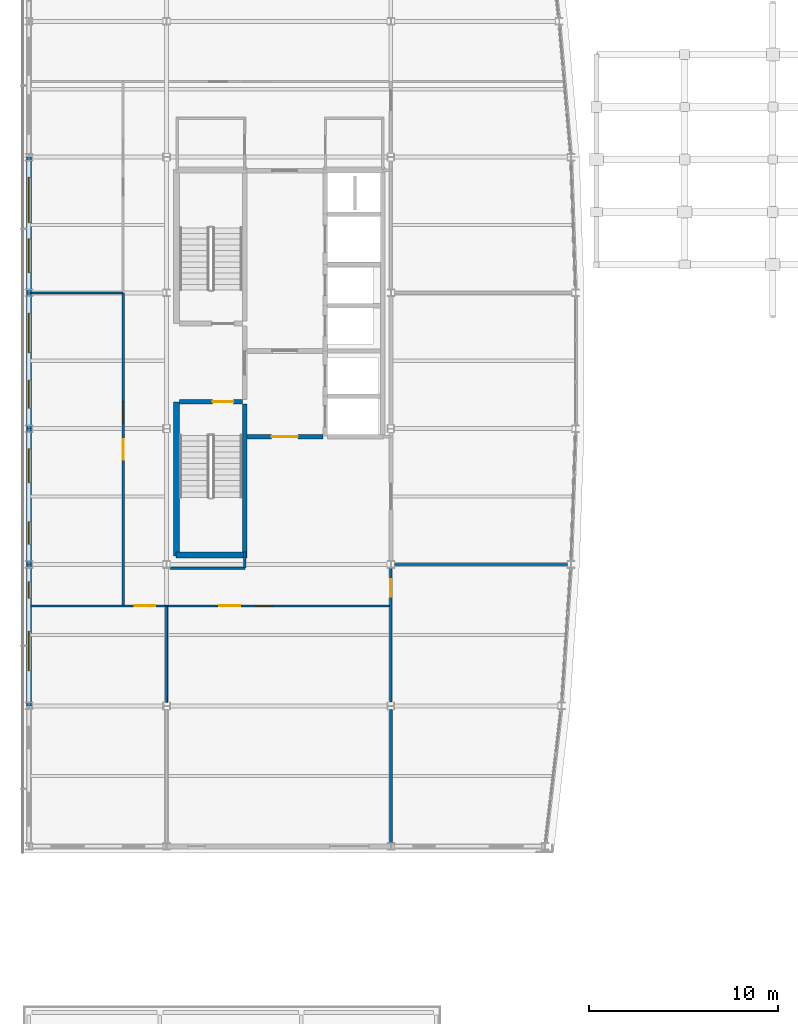
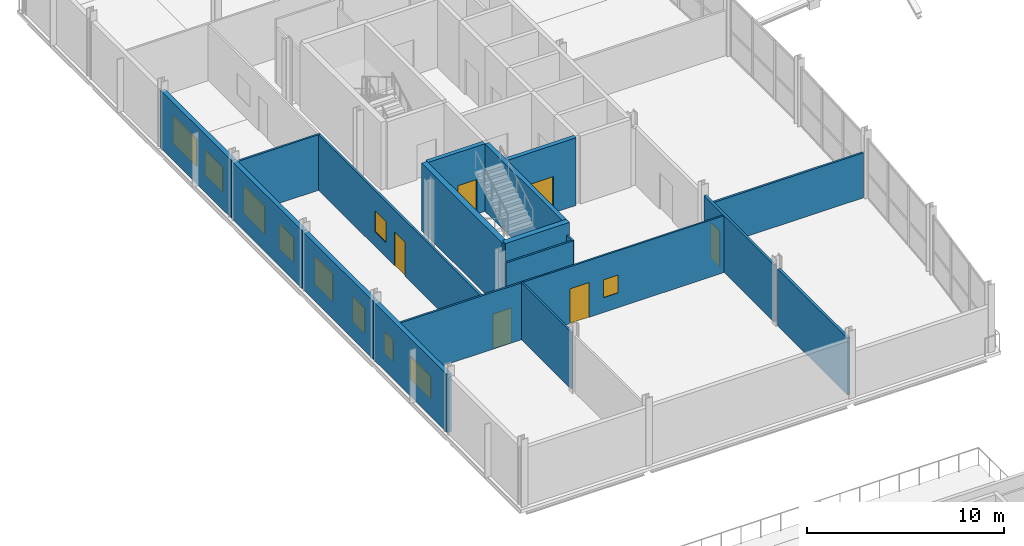
# One storey, part 24 of 36: 19 walls, 10 windows, 6 doors, 16 openings.
"""IFC4 building model written with IfcOpenShell, lengths in metres."""

from ifc_helpers import new_model, si_unit, direction, frame, frame_2d, origin, place, context, subcontext, project, spatial, rectangle, extrude, material, layer, layer_set, type_object, element, fill, save


model = new_model("IFC4")

# Units and contexts
model_context = context("Model", 3, precision=1e-05, world=origin(), true_north=direction((0.0, 1.0)))
body_context = subcontext(model_context, "Body", "Model", "MODEL_VIEW")
ifc_project = project(units=[si_unit("LENGTHUNIT", "METRE"), si_unit("AREAUNIT", "SQUARE_METRE"), si_unit("VOLUMEUNIT", "CUBIC_METRE"), si_unit("PLANEANGLEUNIT", "RADIAN"), si_unit("MASSUNIT", "GRAM", prefix="KILO")], contexts=[model_context])

# Site, building, storey
site_placement = place(None, origin())
site = spatial("IfcSite", under=ifc_project, at=site_placement, CompositionType="ELEMENT")
building_placement = place(site_placement, origin())
building = spatial("IfcBuilding", under=site, at=building_placement, Name="Quillay Park Conservatory", CompositionType="ELEMENT")
storey_placement = place(building_placement, frame((0.0, 0.0, 18.300048828125)))
storey = spatial("IfcBuildingStorey", under=building, at=storey_placement, Name="L04", CompositionType="ELEMENT", Elevation=18.300048828125)

# Wall, openings, window, door
ifc_material_1 = material(Name="Steel-Stud Acoustic Gypsum Board Partition", Category="steel")
ifc_layer_1 = layer(ifc_material_1, 0.10009765625)
ifc_layer_set_1 = layer_set([ifc_layer_1], Name="ACOUSTIC GYPSUM PARTITION 100 (Steel-Stud Acoustic Gypsum Board Partition)")
wall_type_1 = type_object("IfcWallType", Name="ACOUSTIC GYPSUM PARTITION 100", PredefinedType="PARTITIONING", material=ifc_layer_set_1)
wall_1_placement = place(storey_placement, frame((7.85009765625, 75.800048828125, 0.0), z_axis=(0.0, 0.0, 1.0), x_axis=(1.0, 0.0, 0.0)))
wall_1 = element("IfcWall", 1, at=wall_1_placement, inside=storey, type_object=wall_type_1, Name="L04 Plant Taxonomy Research Laboratory North Door Wall", PredefinedType="PARTITIONING", context=body_context, shape_type="SweptSolid", body=[
    extrude(rectangle(XDim=11.89990234375, YDim=0.10009765625, at=frame_2d((5.949951171875, 0.0))), origin(), (0.0, 0.0, 1.0), 3.52685546875),
])
opening_1_placement = place(wall_1_placement, frame((2.7900390625, 0.0, 0.0)))
opening_1 = element("IfcOpeningElement", 2, at=opening_1_placement, cuts=wall_1, Name="Opening D-RM12", PredefinedType="OPENING", context=body_context, shape_type="SweptSolid", body=[
    extrude(rectangle(XDim=1.1201171875, YDim=2.14990234375, at=frame_2d((0.56005859375, 1.074951171875))), frame((0.0, 0.050048828125, 0.0), z_axis=(0.0, -1.0, 0.0), x_axis=(1.0, 0.0, 0.0)), (0.0, 0.0, 1.0), 0.10009765625),
])
opening_2_placement = place(wall_1_placement, frame((4.760009765625, 0.0, 0.919921875)))
opening_2 = element("IfcOpeningElement", 3, at=opening_2_placement, cuts=wall_1, Name="Opening W-IN01", PredefinedType="OPENING", context=body_context, shape_type="SweptSolid", body=[
    extrude(rectangle(XDim=0.85009765625, YDim=1.10009765625, at=frame_2d((0.425048828125, 0.550048828125))), frame((0.0, 0.050048828125, 0.0), z_axis=(0.0, -1.0, 0.0), x_axis=(1.0, 0.0, 0.0)), (0.0, 0.0, 1.0), 0.10009765625),
])
ifc_material_2 = material(Name="Low-E Double Glazing (Laminated Tempered)", Category="glass")
window_type_1 = type_object("IfcWindowType", Name="OPERABLE VENT WINDOW 850 X1100", PartitioningType="SINGLE_PANEL", PredefinedType="WINDOW", material=ifc_material_2)
window_1_placement = place(opening_2_placement, origin())
window_1 = element("IfcWindow", 4, at=window_1_placement, inside=storey, type_object=window_type_1, Name="L04 Laboratory Vision Panel 025", OverallHeight=1.10009765625, OverallWidth=0.85009765625, PartitioningType="SINGLE_PANEL", PredefinedType="WINDOW", context=body_context, shape_type="SweptSolid", body=[
    extrude(rectangle(XDim=0.85009765625, YDim=1.10009765625, at=frame_2d((0.425048828125, 0.550048828125))), frame((0.0, 0.030029296875, 0.0), z_axis=(0.0, -1.0, 0.0), x_axis=(1.0, 0.0, 0.0)), (0.0, 0.0, 1.0), 0.06005859375),
])
fill(opening_2, window_1)
ifc_material_3 = material(Name="Thermally Broken Anodised Aluminium 6063-T6", Category="aluminium")
door_type_1 = type_object("IfcDoorType", Name="SINGLE SWING DOOR 1120 X2150", OperationType="NOTDEFINED", PredefinedType="DOOR", material=ifc_material_3)
door_1_placement = place(opening_1_placement, origin())
door_1 = element("IfcDoor", 5, at=door_1_placement, inside=storey, type_object=door_type_1, Name="L04 Door to Plant Taxonomy Research Laboratory", OperationType="SINGLE_SWING_RIGHT", OverallHeight=2.14990234375, OverallWidth=1.1201171875, PredefinedType="DOOR", context=body_context, shape_type="SweptSolid", body=[
    extrude(rectangle(XDim=1.1201171875, YDim=2.14990234375, at=frame_2d((0.56005859375, 1.074951171875))), frame((0.0, 0.02490234375, 0.0), z_axis=(0.0, -1.0, 0.0), x_axis=(1.0, 0.0, 0.0)), (0.0, 0.0, 1.0), 0.050048828125),
])
fill(opening_1, door_1)

# Walls
ifc_material_4 = material(Name="Steel-Stud Acoustic Gypsum Board Partition", Category="steel")
ifc_layer_2 = layer(ifc_material_4, 0.10498046875)
ifc_layer_set_2 = layer_set([ifc_layer_2], Name="ACOUSTIC GYPSUM PARTITION 105 (Steel-Stud Acoustic Gypsum Board Partition)")
wall_type_2 = type_object("IfcWallType", Name="ACOUSTIC GYPSUM PARTITION 105", PredefinedType="PARTITIONING", material=ifc_layer_set_2)
wall_2_placement = place(storey_placement, frame((7.85009765625, 70.6923828125, 0.0), z_axis=(0.0, 0.0, 1.0), x_axis=(0.0, 1.0, 0.0)))
element("IfcWall", 6, at=wall_2_placement, inside=storey, type_object=wall_type_2, Name="L04 Optical Dissection Microscopy Suite East Wall N", PredefinedType="PARTITIONING", context=body_context, shape_type="SweptSolid", body=[
    extrude(rectangle(XDim=5.107666015625, YDim=0.10498046875, at=frame_2d((2.5537109375, 0.0))), origin(), (0.0, 0.0, 1.0), 3.52685546875),
])
ifc_material_5 = material(Name="Steel-Stud Acoustic Gypsum Board Partition", Category="steel")
ifc_layer_3 = layer(ifc_material_5, 0.110107421875)
ifc_layer_set_3 = layer_set([ifc_layer_3], Name="ACOUSTIC GYPSUM PARTITION 110 (Steel-Stud Acoustic Gypsum Board Partition)")
wall_type_3 = type_object("IfcWallType", Name="ACOUSTIC GYPSUM PARTITION 110", PredefinedType="PARTITIONING", material=ifc_layer_set_3)
wall_3_placement = place(storey_placement, frame((12.0, 77.800048828125, 0.0), z_axis=(0.0, 0.0, 1.0), x_axis=(0.0, 1.0, 0.0)))
element("IfcWall", 7, at=wall_3_placement, inside=storey, type_object=wall_type_3, Name="L04 Core South Vestibule West Wall", PredefinedType="PARTITIONING", context=body_context, shape_type="SweptSolid", body=[
    extrude(rectangle(XDim=0.849853515625, YDim=0.110107421875, at=frame_2d((0.4248046875, 0.0))), origin(), (0.0, 0.0, 1.0), 3.450927734375),
])
wall_4_placement = place(storey_placement, frame((0.64990234375, 92.39990234375, 0.0), z_axis=(0.0, 0.0, 1.0), x_axis=(1.0, 0.0, 0.0)))
element("IfcWall", 8, at=wall_4_placement, inside=storey, type_object=wall_type_3, Name="L04 West Divider 92", PredefinedType="PARTITIONING", context=body_context, shape_type="SweptSolid", body=[
    extrude(rectangle(XDim=4.900146484375, YDim=0.110107421875, at=frame_2d((2.4501953125, 0.0))), origin(), (0.0, 0.0, 1.0), 3.450927734375),
])
ifc_material_6 = material(Name="Steel-Stud Acoustic Gypsum Board Partition", Category="steel")
ifc_layer_4 = layer(ifc_material_6, 0.114990234375)
ifc_layer_set_4 = layer_set([ifc_layer_4], Name="ACOUSTIC GYPSUM PARTITION 115 (Steel-Stud Acoustic Gypsum Board Partition)")
wall_type_4 = type_object("IfcWallType", Name="ACOUSTIC GYPSUM PARTITION 115", PredefinedType="PARTITIONING", material=ifc_layer_set_4)
wall_5_placement = place(storey_placement, frame((8.04248046875, 77.800048828125, 0.0), z_axis=(0.0, 0.0, 1.0), x_axis=(1.0, 0.0, 0.0)))
element("IfcWall", 9, at=wall_5_placement, inside=storey, type_object=wall_type_4, Name="L04 Core South-West Return", PredefinedType="PARTITIONING", context=body_context, shape_type="SweptSolid", body=[
    extrude(rectangle(XDim=3.95751953125, YDim=0.114990234375, at=frame_2d((1.978759765625, 0.0))), origin(), (0.0, 0.0, 1.0), 3.450927734375),
])

# Wall, opening, door
wall_6_placement = place(storey_placement, frame((0.64990234375, 75.800048828125, 0.0), z_axis=(0.0, 0.0, 1.0), x_axis=(1.0, 0.0, 0.0)))
wall_6 = element("IfcWall", 10, at=wall_6_placement, inside=storey, type_object=wall_type_4, Name="L04 Optical Dissection Microscopy Suite North Door Wall", PredefinedType="PARTITIONING", context=body_context, shape_type="SweptSolid", body=[
    extrude(rectangle(XDim=7.2001953125, YDim=0.114990234375, at=frame_2d((3.60009765625, 0.0))), origin(), (0.0, 0.0, 1.0), 3.52685546875),
])
opening_3_placement = place(wall_6_placement, frame((5.510009765625, 0.0, 0.0)))
opening_3 = element("IfcOpeningElement", 11, at=opening_3_placement, cuts=wall_6, Name="Opening D-RM11", PredefinedType="OPENING", context=body_context, shape_type="SweptSolid", body=[
    extrude(rectangle(XDim=1.080078125, YDim=2.14990234375, at=frame_2d((0.5400390625, 1.074951171875))), frame((0.0, 0.0576171875, 0.0), z_axis=(0.0, -1.0, 0.0), x_axis=(1.0, 0.0, 0.0)), (0.0, 0.0, 1.0), 0.114990234375),
])
ifc_material_7 = material(Name="Thermally Broken Anodised Aluminium 6063-T6", Category="aluminium")
door_type_2 = type_object("IfcDoorType", Name="SINGLE SWING DOOR 1080 X2150", OperationType="NOTDEFINED", PredefinedType="DOOR", material=ifc_material_7)
door_2_placement = place(opening_3_placement, origin())
door_2 = element("IfcDoor", 12, at=door_2_placement, inside=storey, type_object=door_type_2, Name="L04 Door to Optical Dissection Microscopy Suite", OperationType="SINGLE_SWING_LEFT", OverallHeight=2.14990234375, OverallWidth=1.080078125, PredefinedType="DOOR", context=body_context, shape_type="SweptSolid", body=[
    extrude(rectangle(XDim=1.080078125, YDim=2.14990234375, at=frame_2d((0.5400390625, 1.074951171875))), frame((0.0, 0.02490234375, 0.0), z_axis=(0.0, -1.0, 0.0), x_axis=(1.0, 0.0, 0.0)), (0.0, 0.0, 1.0), 0.050048828125),
])
fill(opening_3, door_2)

# Wall, openings, window, door
ifc_material_8 = material(Name="Steel-Stud Acoustic Gypsum Board Partition", Category="steel")
ifc_layer_5 = layer(ifc_material_8, 0.1201171875)
ifc_layer_set_5 = layer_set([ifc_layer_5], Name="ACOUSTIC GYPSUM PARTITION 120 (Steel-Stud Acoustic Gypsum Board Partition)")
wall_type_5 = type_object("IfcWallType", Name="ACOUSTIC GYPSUM PARTITION 120", PredefinedType="PARTITIONING", material=ifc_layer_set_5)
wall_7_placement = place(storey_placement, frame((5.550048828125, 75.800048828125, 0.0), z_axis=(0.0, 0.0, 1.0), x_axis=(0.0, 1.0, 0.0)))
wall_7 = element("IfcWall", 13, at=wall_7_placement, inside=storey, type_object=wall_type_5, Name="L04 Systematics Herbarium Reference Studio Corridor Wall", PredefinedType="PARTITIONING", context=body_context, shape_type="SweptSolid", body=[
    extrude(rectangle(XDim=16.599853515625, YDim=0.1201171875, at=frame_2d((8.2998046875, 0.0))), origin(), (0.0, 0.0, 1.0), 3.450927734375),
])
opening_4_placement = place(wall_7_placement, frame((7.760009765625, 0.0, 0.0)))
opening_4 = element("IfcOpeningElement", 14, at=opening_4_placement, cuts=wall_7, Name="Opening D-RM06", PredefinedType="OPENING", context=body_context, shape_type="SweptSolid", body=[
    extrude(rectangle(XDim=1.080078125, YDim=2.10009765625, at=frame_2d((0.5400390625, 1.050048828125))), frame((0.0, 0.06005859375, 0.0), z_axis=(0.0, -1.0, 0.0), x_axis=(1.0, 0.0, 0.0)), (0.0, 0.0, 1.0), 0.1201171875),
])
opening_5_placement = place(wall_7_placement, frame((9.68994140625, 0.0, 0.919921875)))
opening_5 = element("IfcOpeningElement", 15, at=opening_5_placement, cuts=wall_7, Name="Opening W-IN10", PredefinedType="OPENING", context=body_context, shape_type="SweptSolid", body=[
    extrude(rectangle(XDim=1.14990234375, YDim=1.300048828125, at=frame_2d((0.574951171875, 0.64990234375))), frame((0.0, 0.06005859375, 0.0), z_axis=(0.0, -1.0, 0.0), x_axis=(1.0, 0.0, 0.0)), (0.0, 0.0, 1.0), 0.1201171875),
])
ifc_material_9 = material(Name="Low-E Double Glazing (Laminated Tempered)", Category="glass")
window_type_2 = type_object("IfcWindowType", Name="OPERABLE VENT WINDOW 1150 X1300", PartitioningType="SINGLE_PANEL", PredefinedType="WINDOW", material=ifc_material_9)
window_2_placement = place(opening_5_placement, origin())
window_2 = element("IfcWindow", 16, at=window_2_placement, inside=storey, type_object=window_type_2, Name="L04 Laboratory Vision Panel 022", OverallHeight=1.300048828125, OverallWidth=1.14990234375, PartitioningType="SINGLE_PANEL", PredefinedType="WINDOW", context=body_context, shape_type="SweptSolid", body=[
    extrude(rectangle(XDim=1.14990234375, YDim=1.300048828125, at=frame_2d((0.574951171875, 0.64990234375))), frame((0.0, 0.030029296875, 0.0), z_axis=(0.0, -1.0, 0.0), x_axis=(1.0, 0.0, 0.0)), (0.0, 0.0, 1.0), 0.06005859375),
])
fill(opening_5, window_2)
ifc_material_10 = material(Name="Thermally Broken Anodised Aluminium 6063-T6", Category="aluminium")
door_type_3 = type_object("IfcDoorType", Name="SINGLE SWING DOOR 1080 X2100", OperationType="NOTDEFINED", PredefinedType="DOOR", material=ifc_material_10)
door_3_placement = place(opening_4_placement, origin())
door_3 = element("IfcDoor", 17, at=door_3_placement, inside=storey, type_object=door_type_3, Name="L04 Door to Systematics Herbarium Reference Studio", OperationType="SINGLE_SWING_RIGHT", OverallHeight=2.10009765625, OverallWidth=1.080078125, PredefinedType="DOOR", context=body_context, shape_type="SweptSolid", body=[
    extrude(rectangle(XDim=1.080078125, YDim=2.10009765625, at=frame_2d((0.5400390625, 1.050048828125))), frame((0.0, 0.02490234375, 0.0), z_axis=(0.0, -1.0, 0.0), x_axis=(1.0, 0.0, 0.0)), (0.0, 0.0, 1.0), 0.050048828125),
])
fill(opening_4, door_3)

# Wall
wall_8_placement = place(storey_placement, frame((29.107421875, 78.0, 0.0), z_axis=(0.0, 0.0, 1.0), x_axis=(-1.0, 0.0, 0.0)))
element("IfcWall", 18, at=wall_8_placement, inside=storey, type_object=wall_type_5, Name="L04 East Strip South Wall", PredefinedType="PARTITIONING", context=body_context, shape_type="SweptSolid", body=[
    extrude(rectangle(XDim=9.1650390625, YDim=0.1201171875, at=frame_2d((4.58251953125, 0.0))), origin(), (0.0, 0.0, 1.0), 2.7900390625),
])

# Wall, opening, door
ifc_material_11 = material(Name="Steel-Stud Acoustic Gypsum Board Partition", Category="steel")
ifc_layer_6 = layer(ifc_material_11, 0.139892578125)
ifc_layer_set_6 = layer_set([ifc_layer_6], Name="ACOUSTIC GYPSUM PARTITION 140 (Steel-Stud Acoustic Gypsum Board Partition)")
wall_type_6 = type_object("IfcWallType", Name="ACOUSTIC GYPSUM PARTITION 140", PredefinedType="PARTITIONING", material=ifc_layer_set_6)
wall_9_placement = place(storey_placement, frame((19.75, 70.6923828125, 0.0), z_axis=(0.0, 0.0, 1.0), x_axis=(0.0, 1.0, 0.0)))
wall_9 = element("IfcWall", 19, at=wall_9_placement, inside=storey, type_object=wall_type_6, Name="L04 Comparative Morphology Microscopy Studio West Door Wall", PredefinedType="PARTITIONING", context=body_context, shape_type="SweptSolid", body=[
    extrude(rectangle(XDim=7.12255859375, YDim=0.139892578125, at=frame_2d((3.561279296875, 0.0))), origin(), (0.0, 0.0, 1.0), 3.52685546875),
])
opening_6_placement = place(wall_9_placement, frame((5.58251953125, 0.0, 0.0)))
opening_6 = element("IfcOpeningElement", 20, at=opening_6_placement, cuts=wall_9, Name="Opening D-RM13", PredefinedType="OPENING", context=body_context, shape_type="SweptSolid", body=[
    extrude(rectangle(XDim=0.949951171875, YDim=2.199951171875, at=frame_2d((0.47509765625, 1.10009765625))), frame((0.0, 0.06982421875, 0.0), z_axis=(0.0, -1.0, 0.0), x_axis=(1.0, 0.0, 0.0)), (0.0, 0.0, 1.0), 0.139892578125),
])
ifc_material_12 = material(Name="Thermally Broken Anodised Aluminium 6063-T6", Category="aluminium")
door_type_4 = type_object("IfcDoorType", Name="SINGLE SWING DOOR 950 X2200", OperationType="NOTDEFINED", PredefinedType="DOOR", material=ifc_material_12)
door_4_placement = place(opening_6_placement, origin())
door_4 = element("IfcDoor", 21, at=door_4_placement, inside=storey, type_object=door_type_4, Name="L04 Door to Comparative Morphology Microscopy Studio", OperationType="SINGLE_SWING_LEFT", OverallHeight=2.199951171875, OverallWidth=0.949951171875, PredefinedType="DOOR", context=body_context, shape_type="SweptSolid", body=[
    extrude(rectangle(XDim=0.949951171875, YDim=2.199951171875, at=frame_2d((0.47509765625, 1.10009765625))), frame((0.0, 0.02490234375, 0.0), z_axis=(0.0, -1.0, 0.0), x_axis=(1.0, 0.0, 0.0)), (0.0, 0.0, 1.0), 0.050048828125),
])
fill(opening_6, door_4)

# Walls
ifc_material_13 = material(Name="Steel-Stud Acoustic Gypsum Board Partition", Category="steel")
ifc_layer_7 = layer(ifc_material_13, 0.14990234375)
ifc_layer_set_7 = layer_set([ifc_layer_7], Name="ACOUSTIC GYPSUM PARTITION 150 (Steel-Stud Acoustic Gypsum Board Partition)")
wall_type_7 = type_object("IfcWallType", Name="ACOUSTIC GYPSUM PARTITION 150", PredefinedType="PARTITIONING", material=ifc_layer_set_7)
wall_10_placement = place(storey_placement, frame((19.75, 63.235107421875, 0.0), z_axis=(0.0, 0.0, 1.0), x_axis=(0.0, 1.0, 0.0)))
element("IfcWall", 22, at=wall_10_placement, inside=storey, type_object=wall_type_7, Name="L04 Comparative Morphology Microscopy Studio West Wall S", PredefinedType="PARTITIONING", context=body_context, shape_type="SweptSolid", body=[
    extrude(rectangle(XDim=7.072509765625, YDim=0.14990234375, at=frame_2d((3.5361328125, 0.0))), origin(), (0.0, 0.0, 1.0), 3.52685546875),
])
ifc_material_14 = material(Name="Concrete C40/50 (NCh170 Concrete C40/50)", Category="concrete")
ifc_layer_8 = layer(ifc_material_14, 0.25)
ifc_layer_set_8 = layer_set([ifc_layer_8], Name="CORE SHEAR WALL 250 (Concrete C40/50 (NCh170 Concrete C40/50))")
wall_type_8 = type_object("IfcWallType", Name="CORE SHEAR WALL 250", PredefinedType="SHEAR", material=ifc_layer_set_8)
wall_11_placement = place(storey_placement, frame((11.9951171875, 78.64990234375, 0.0), z_axis=(0.0, 0.0, 1.0), x_axis=(0.0, 1.0, 0.0)))
element("IfcWall", 23, at=wall_11_placement, inside=storey, type_object=wall_type_8, Name="L04 Core Shear Wall WL-T2E-L04", PredefinedType="SHEAR", context=body_context, shape_type="SweptSolid", body=[
    extrude(rectangle(XDim=7.85009765625, YDim=0.25, at=frame_2d((3.925048828125, 0.0))), origin(), (0.0, 0.0, 1.0), 4.199951171875),
])

# Wall, opening, door
wall_12_placement = place(storey_placement, frame((8.550048828125, 86.625, 0.0), z_axis=(0.0, 0.0, 1.0), x_axis=(1.0, 0.0, 0.0)))
wall_12 = element("IfcWall", 24, at=wall_12_placement, inside=storey, type_object=wall_type_8, Name="L04 Core Shear Wall WL-ST2D-L04", PredefinedType="SHEAR", context=body_context, shape_type="SweptSolid", body=[
    extrude(rectangle(XDim=3.320068359375, YDim=0.25, at=frame_2d((1.66015625, 0.0))), origin(), (0.0, 0.0, 1.0), 4.199951171875),
])
opening_7_placement = place(wall_12_placement, frame((1.75, 0.0, 0.0)))
opening_7 = element("IfcOpeningElement", 25, at=opening_7_placement, cuts=wall_12, Name="Opening D-ST01", PredefinedType="OPENING", context=body_context, shape_type="SweptSolid", body=[
    extrude(rectangle(XDim=1.10009765625, YDim=2.14990234375, at=frame_2d((0.550048828125, 1.074951171875))), frame((0.0, 0.125, 0.0), z_axis=(0.0, -1.0, 0.0), x_axis=(1.0, 0.0, 0.0)), (0.0, 0.0, 1.0), 0.25),
])
ifc_material_15 = material(Name="Steel ASTM A572 Grade 50", Category="steel")
door_type_5 = type_object("IfcDoorType", Name="FIRE RATED STAIR DOOR 1100 X2150", OperationType="NOTDEFINED", PredefinedType="DOOR", material=ifc_material_15)
door_5_placement = place(opening_7_placement, origin())
door_5 = element("IfcDoor", 26, at=door_5_placement, inside=storey, type_object=door_type_5, Name="L04 Protected Stair ST-T2 Door", OperationType="SINGLE_SWING_LEFT", OverallHeight=2.14990234375, OverallWidth=1.10009765625, PredefinedType="DOOR", context=body_context, shape_type="SweptSolid", body=[
    extrude(rectangle(XDim=1.10009765625, YDim=2.14990234375, at=frame_2d((0.550048828125, 1.074951171875))), frame((0.0, 0.02490234375, 0.0), z_axis=(0.0, -1.0, 0.0), x_axis=(1.0, 0.0, 0.0)), (0.0, 0.0, 1.0), 0.050048828125),
])
fill(opening_7, door_5)

wall_13_placement = place(storey_placement, frame((12.1201171875, 84.77490234375, 0.0), z_axis=(0.0, 0.0, 1.0), x_axis=(1.0, 0.0, 0.0)))
wall_13 = element("IfcWall", 27, at=wall_13_placement, inside=storey, type_object=wall_type_8, Name="L04 Core Shear Wall WL-FFS-L04", PredefinedType="SHEAR", context=body_context, shape_type="SweptSolid", body=[
    extrude(rectangle(XDim=4.02978515625, YDim=0.25, at=frame_2d((2.014892578125, 0.0))), origin(), (0.0, 0.0, 1.0), 4.199951171875),
])
opening_8_placement = place(wall_13_placement, frame((1.300048828125, 0.0, 0.0)))
opening_8 = element("IfcOpeningElement", 28, at=opening_8_placement, cuts=wall_13, Name="Opening D-LB03", PredefinedType="OPENING", context=body_context, shape_type="SweptSolid", body=[
    extrude(rectangle(XDim=1.39990234375, YDim=2.25, at=frame_2d((0.699951171875, 1.125))), frame((0.0, 0.125, 0.0), z_axis=(0.0, -1.0, 0.0), x_axis=(1.0, 0.0, 0.0)), (0.0, 0.0, 1.0), 0.25),
])
ifc_material_16 = material(Name="Steel ASTM A572 Grade 50", Category="steel")
door_type_6 = type_object("IfcDoorType", Name="FIRE RATED LOBBY DOOR 1400 X2250", OperationType="NOTDEFINED", PredefinedType="DOOR", material=ifc_material_16)
door_6_placement = place(opening_8_placement, origin())
door_6 = element("IfcDoor", 29, at=door_6_placement, inside=storey, type_object=door_type_6, Name="L04 South Core Lobby Door", OperationType="SINGLE_SWING_RIGHT", OverallHeight=2.25, OverallWidth=1.39990234375, PredefinedType="DOOR", context=body_context, shape_type="SweptSolid", body=[
    extrude(rectangle(XDim=1.39990234375, YDim=2.25, at=frame_2d((0.699951171875, 1.125))), frame((0.0, 0.02490234375, 0.0), z_axis=(0.0, -1.0, 0.0), x_axis=(1.0, 0.0, 0.0)), (0.0, 0.0, 1.0), 0.050048828125),
])
fill(opening_8, door_6)

# Walls
ifc_material_17 = material(Name="Concrete C40/50 (NCh170 Concrete C40/50)", Category="concrete")
ifc_layer_9 = layer(ifc_material_17, 0.320068359375)
ifc_layer_set_9 = layer_set([ifc_layer_9], Name="CORE SHEAR WALL 320 (Concrete C40/50 (NCh170 Concrete C40/50))")
wall_type_9 = type_object("IfcWallType", Name="CORE SHEAR WALL 320", PredefinedType="SHEAR", material=ifc_layer_set_9)
wall_14_placement = place(storey_placement, frame((8.389892578125, 78.449951171875, 0.0), z_axis=(0.0, 0.0, 1.0), x_axis=(0.0, 1.0, 0.0)))
element("IfcWall", 30, at=wall_14_placement, inside=storey, type_object=wall_type_9, Name="L04 Core Shear Wall WL-TCW-S-L04", PredefinedType="SHEAR", context=body_context, shape_type="SweptSolid", body=[
    extrude(rectangle(XDim=8.175048828125, YDim=0.320068359375, at=frame_2d((4.08740234375, 0.0))), origin(), (0.0, 0.0, 1.0), 4.199951171875),
])
wall_15_placement = place(storey_placement, frame((8.35009765625, 78.489990234375, 0.0), z_axis=(0.0, 0.0, 1.0), x_axis=(1.0, 0.0, 0.0)))
element("IfcWall", 31, at=wall_15_placement, inside=storey, type_object=wall_type_9, Name="L04 Core Shear Wall WL-TCS-L04", PredefinedType="SHEAR", context=body_context, shape_type="SweptSolid", body=[
    extrude(rectangle(XDim=3.77001953125, YDim=0.320068359375, at=frame_2d((1.885009765625, 0.0))), origin(), (0.0, 0.0, 1.0), 4.199951171875),
])

# Wall, openings, windows
ifc_material_18 = material(Name="Glass-Fibre Reinforced Concrete (GRC) Cladding", Category="concrete")
ifc_layer_10 = layer(ifc_material_18, 0.260009765625)
ifc_layer_set_10 = layer_set([ifc_layer_10], Name="EXTERIOR SOLID WALL 260 (Glass-Fibre Reinforced Concrete (GRC) Cladding)")
wall_type_10 = type_object("IfcWallType", Name="EXTERIOR SOLID WALL 260", PredefinedType="SOLIDWALL", material=ifc_layer_set_10)
wall_16_placement = place(storey_placement, frame((0.550048828125, 70.5, 0.0), z_axis=(0.0, 0.0, 1.0), x_axis=(0.0, 1.0, 0.0)))
wall_16 = element("IfcWall", 32, at=wall_16_placement, inside=storey, type_object=wall_type_10, Name="L04 External Wall WL-EXT-V4W-L04-1", PredefinedType="SOLIDWALL", context=body_context, shape_type="SweptSolid", body=[
    extrude(rectangle(XDim=7.5, YDim=0.260009765625, at=frame_2d((3.75, 0.0))), origin(), (0.0, 0.0, 1.0), 3.576904296875),
])
opening_9_placement = place(wall_16_placement, frame((1.85498046875, 0.0, 0.919921875)))
opening_9 = element("IfcOpeningElement", 33, at=opening_9_placement, cuts=wall_16, Name="Opening W-06", PredefinedType="OPENING", context=body_context, shape_type="SweptSolid", body=[
    extrude(rectangle(XDim=2.10009765625, YDim=1.39990234375, at=frame_2d((1.050048828125, 0.699951171875))), frame((0.0, 0.1298828125, 0.0), z_axis=(0.0, -1.0, 0.0), x_axis=(1.0, 0.0, 0.0)), (0.0, 0.0, 1.0), 0.260009765625),
])
opening_10_placement = place(wall_16_placement, frame((5.695068359375, 0.0, 0.919921875)))
opening_10 = element("IfcOpeningElement", 34, at=opening_10_placement, cuts=wall_16, Name="Opening W-17", PredefinedType="OPENING", context=body_context, shape_type="SweptSolid", body=[
    extrude(rectangle(XDim=0.89990234375, YDim=1.300048828125, at=frame_2d((0.449951171875, 0.64990234375))), frame((0.0, 0.1298828125, 0.0), z_axis=(0.0, -1.0, 0.0), x_axis=(1.0, 0.0, 0.0)), (0.0, 0.0, 1.0), 0.260009765625),
])
ifc_material_19 = material(Name="Low-E Double Glazing (Laminated Tempered)", Category="glass")
window_type_3 = type_object("IfcWindowType", Name="FIXED CASEMENT WINDOW 2100 X1400", PartitioningType="DOUBLE_PANEL_VERTICAL", PredefinedType="WINDOW", material=ifc_material_19)
window_3_placement = place(opening_9_placement, origin())
window_3 = element("IfcWindow", 35, at=window_3_placement, inside=storey, type_object=window_type_3, Name="L04 Exterior Window 0146", OverallHeight=1.39990234375, OverallWidth=2.10009765625, PartitioningType="DOUBLE_PANEL_VERTICAL", PredefinedType="WINDOW", context=body_context, shape_type="SweptSolid", body=[
    extrude(rectangle(XDim=2.10009765625, YDim=1.39990234375, at=frame_2d((1.050048828125, 0.699951171875))), frame((0.0, 0.030029296875, 0.0), z_axis=(0.0, -1.0, 0.0), x_axis=(1.0, 0.0, 0.0)), (0.0, 0.0, 1.0), 0.06005859375),
])
fill(opening_9, window_3)
ifc_material_20 = material(Name="Low-E Double Glazing (Laminated Tempered)", Category="glass")
window_type_4 = type_object("IfcWindowType", Name="FIXED CASEMENT WINDOW 900 X1300", PartitioningType="SINGLE_PANEL", PredefinedType="WINDOW", material=ifc_material_20)
window_4_placement = place(opening_10_placement, origin())
window_4 = element("IfcWindow", 36, at=window_4_placement, inside=storey, type_object=window_type_4, Name="L04 Exterior Window 0147", OverallHeight=1.300048828125, OverallWidth=0.89990234375, PartitioningType="SINGLE_PANEL", PredefinedType="WINDOW", context=body_context, shape_type="SweptSolid", body=[
    extrude(rectangle(XDim=0.89990234375, YDim=1.300048828125, at=frame_2d((0.449951171875, 0.64990234375))), frame((0.0, 0.030029296875, 0.0), z_axis=(0.0, -1.0, 0.0), x_axis=(1.0, 0.0, 0.0)), (0.0, 0.0, 1.0), 0.06005859375),
])
fill(opening_10, window_4)

wall_17_placement = place(storey_placement, frame((0.550048828125, 78.0, 0.0), z_axis=(0.0, 0.0, 1.0), x_axis=(0.0, 1.0, 0.0)))
wall_17 = element("IfcWall", 37, at=wall_17_placement, inside=storey, type_object=wall_type_10, Name="L04 External Wall WL-EXT-V4W-L04-2", PredefinedType="SOLIDWALL", context=body_context, shape_type="SweptSolid", body=[
    extrude(rectangle(XDim=7.199951171875, YDim=0.260009765625, at=frame_2d((3.60009765625, 0.0))), origin(), (0.0, 0.0, 1.0), 3.576904296875),
])
opening_11_placement = place(wall_17_placement, frame((1.070068359375, 0.0, 0.919921875)))
opening_11 = element("IfcOpeningElement", 38, at=opening_11_placement, cuts=wall_17, Name="Opening W-07", PredefinedType="OPENING", context=body_context, shape_type="SweptSolid", body=[
    extrude(rectangle(XDim=1.199951171875, YDim=1.550048828125, at=frame_2d((0.60009765625, 0.77490234375))), frame((0.0, 0.1298828125, 0.0), z_axis=(0.0, -1.0, 0.0), x_axis=(1.0, 0.0, 0.0)), (0.0, 0.0, 1.0), 0.260009765625),
])
opening_12_placement = place(wall_17_placement, frame((4.330078125, 0.0, 0.919921875)))
opening_12 = element("IfcOpeningElement", 39, at=opening_12_placement, cuts=wall_17, Name="Opening W-14", PredefinedType="OPENING", context=body_context, shape_type="SweptSolid", body=[
    extrude(rectangle(XDim=1.800048828125, YDim=1.699951171875, at=frame_2d((0.89990234375, 0.85009765625))), frame((0.0, 0.1298828125, 0.0), z_axis=(0.0, -1.0, 0.0), x_axis=(1.0, 0.0, 0.0)), (0.0, 0.0, 1.0), 0.260009765625),
])
ifc_material_21 = material(Name="Low-E Double Glazing (Laminated Tempered)", Category="glass")
window_type_5 = type_object("IfcWindowType", Name="FIXED CASEMENT WINDOW 1200 X1550", PartitioningType="SINGLE_PANEL", PredefinedType="WINDOW", material=ifc_material_21)
window_5_placement = place(opening_11_placement, origin())
window_5 = element("IfcWindow", 40, at=window_5_placement, inside=storey, type_object=window_type_5, Name="L04 Exterior Window 0148", OverallHeight=1.550048828125, OverallWidth=1.199951171875, PartitioningType="SINGLE_PANEL", PredefinedType="WINDOW", context=body_context, shape_type="SweptSolid", body=[
    extrude(rectangle(XDim=1.199951171875, YDim=1.550048828125, at=frame_2d((0.60009765625, 0.77490234375))), frame((0.0, 0.030029296875, 0.0), z_axis=(0.0, -1.0, 0.0), x_axis=(1.0, 0.0, 0.0)), (0.0, 0.0, 1.0), 0.06005859375),
])
fill(opening_11, window_5)
ifc_material_22 = material(Name="Low-E Double Glazing (Laminated Tempered)", Category="glass")
window_type_6 = type_object("IfcWindowType", Name="FIXED CASEMENT WINDOW 1800 X1700", PartitioningType="DOUBLE_PANEL_VERTICAL", PredefinedType="WINDOW", material=ifc_material_22)
window_6_placement = place(opening_12_placement, origin())
window_6 = element("IfcWindow", 41, at=window_6_placement, inside=storey, type_object=window_type_6, Name="L04 Exterior Window 0149", OverallHeight=1.699951171875, OverallWidth=1.800048828125, PartitioningType="DOUBLE_PANEL_VERTICAL", PredefinedType="WINDOW", context=body_context, shape_type="SweptSolid", body=[
    extrude(rectangle(XDim=1.800048828125, YDim=1.699951171875, at=frame_2d((0.89990234375, 0.85009765625))), frame((0.0, 0.030029296875, 0.0), z_axis=(0.0, -1.0, 0.0), x_axis=(1.0, 0.0, 0.0)), (0.0, 0.0, 1.0), 0.06005859375),
])
fill(opening_12, window_6)

wall_18_placement = place(storey_placement, frame((0.550048828125, 85.199951171875, 0.0), z_axis=(0.0, 0.0, 1.0), x_axis=(0.0, 1.0, 0.0)))
wall_18 = element("IfcWall", 42, at=wall_18_placement, inside=storey, type_object=wall_type_10, Name="L04 External Wall WL-EXT-V4W-L04-3", PredefinedType="SOLIDWALL", context=body_context, shape_type="SweptSolid", body=[
    extrude(rectangle(XDim=7.199951171875, YDim=0.260009765625, at=frame_2d((3.60009765625, 0.0))), origin(), (0.0, 0.0, 1.0), 3.576904296875),
])
opening_13_placement = place(wall_18_placement, frame((1.070068359375, 0.0, 0.919921875)))
opening_13 = element("IfcOpeningElement", 43, at=opening_13_placement, cuts=wall_18, Name="Opening W-08", PredefinedType="OPENING", context=body_context, shape_type="SweptSolid", body=[
    extrude(rectangle(XDim=1.5, YDim=1.550048828125, at=frame_2d((0.75, 0.77490234375))), frame((0.0, 0.1298828125, 0.0), z_axis=(0.0, -1.0, 0.0), x_axis=(1.0, 0.0, 0.0)), (0.0, 0.0, 1.0), 0.260009765625),
])
opening_14_placement = place(wall_18_placement, frame((4.030029296875, 0.0, 0.919921875)))
opening_14 = element("IfcOpeningElement", 44, at=opening_14_placement, cuts=wall_18, Name="Opening W-15", PredefinedType="OPENING", context=body_context, shape_type="SweptSolid", body=[
    extrude(rectangle(XDim=2.10009765625, YDim=1.699951171875, at=frame_2d((1.050048828125, 0.85009765625))), frame((0.0, 0.1298828125, 0.0), z_axis=(0.0, -1.0, 0.0), x_axis=(1.0, 0.0, 0.0)), (0.0, 0.0, 1.0), 0.260009765625),
])
ifc_material_23 = material(Name="Low-E Double Glazing (Laminated Tempered)", Category="glass")
window_type_7 = type_object("IfcWindowType", Name="FIXED CASEMENT WINDOW 1500 X1550", PartitioningType="SINGLE_PANEL", PredefinedType="WINDOW", material=ifc_material_23)
window_7_placement = place(opening_13_placement, origin())
window_7 = element("IfcWindow", 45, at=window_7_placement, inside=storey, type_object=window_type_7, Name="L04 Exterior Window 0150", OverallHeight=1.550048828125, OverallWidth=1.5, PartitioningType="SINGLE_PANEL", PredefinedType="WINDOW", context=body_context, shape_type="SweptSolid", body=[
    extrude(rectangle(XDim=1.5, YDim=1.550048828125, at=frame_2d((0.75, 0.77490234375))), frame((0.0, 0.030029296875, 0.0), z_axis=(0.0, -1.0, 0.0), x_axis=(1.0, 0.0, 0.0)), (0.0, 0.0, 1.0), 0.06005859375),
])
fill(opening_13, window_7)
ifc_material_24 = material(Name="Low-E Double Glazing (Laminated Tempered)", Category="glass")
window_type_8 = type_object("IfcWindowType", Name="FIXED CASEMENT WINDOW 2100 X1700", PartitioningType="DOUBLE_PANEL_VERTICAL", PredefinedType="WINDOW", material=ifc_material_24)
window_8_placement = place(opening_14_placement, origin())
window_8 = element("IfcWindow", 46, at=window_8_placement, inside=storey, type_object=window_type_8, Name="L04 Exterior Window 0151", OverallHeight=1.699951171875, OverallWidth=2.10009765625, PartitioningType="DOUBLE_PANEL_VERTICAL", PredefinedType="WINDOW", context=body_context, shape_type="SweptSolid", body=[
    extrude(rectangle(XDim=2.10009765625, YDim=1.699951171875, at=frame_2d((1.050048828125, 0.85009765625))), frame((0.0, 0.030029296875, 0.0), z_axis=(0.0, -1.0, 0.0), x_axis=(1.0, 0.0, 0.0)), (0.0, 0.0, 1.0), 0.06005859375),
])
fill(opening_14, window_8)

wall_19_placement = place(storey_placement, frame((0.550048828125, 92.39990234375, 0.0), z_axis=(0.0, 0.0, 1.0), x_axis=(0.0, 1.0, 0.0)))
wall_19 = element("IfcWall", 47, at=wall_19_placement, inside=storey, type_object=wall_type_10, Name="L04 External Wall WL-EXT-V4W-L04-4", PredefinedType="SOLIDWALL", context=body_context, shape_type="SweptSolid", body=[
    extrude(rectangle(XDim=7.2001953125, YDim=0.260009765625, at=frame_2d((3.60009765625, 0.0))), origin(), (0.0, 0.0, 1.0), 3.576904296875),
])
opening_15_placement = place(wall_19_placement, frame((1.070068359375, 0.0, 0.919921875)))
opening_15 = element("IfcOpeningElement", 48, at=opening_15_placement, cuts=wall_19, Name="Opening W-09", PredefinedType="OPENING", context=body_context, shape_type="SweptSolid", body=[
    extrude(rectangle(XDim=1.800048828125, YDim=1.550048828125, at=frame_2d((0.89990234375, 0.77490234375))), frame((0.0, 0.1298828125, 0.0), z_axis=(0.0, -1.0, 0.0), x_axis=(1.0, 0.0, 0.0)), (0.0, 0.0, 1.0), 0.260009765625),
])
opening_16_placement = place(wall_19_placement, frame((3.72998046875, 0.0, 0.919921875)))
opening_16 = element("IfcOpeningElement", 49, at=opening_16_placement, cuts=wall_19, Name="Opening W-16", PredefinedType="OPENING", context=body_context, shape_type="SweptSolid", body=[
    extrude(rectangle(XDim=2.39990234375, YDim=1.699951171875, at=frame_2d((1.199951171875, 0.85009765625))), frame((0.0, 0.1298828125, 0.0), z_axis=(0.0, -1.0, 0.0), x_axis=(1.0, 0.0, 0.0)), (0.0, 0.0, 1.0), 0.260009765625),
])
ifc_material_25 = material(Name="Low-E Double Glazing (Laminated Tempered)", Category="glass")
window_type_9 = type_object("IfcWindowType", Name="FIXED CASEMENT WINDOW 1800 X1550", PartitioningType="DOUBLE_PANEL_VERTICAL", PredefinedType="WINDOW", material=ifc_material_25)
window_9_placement = place(opening_15_placement, origin())
window_9 = element("IfcWindow", 50, at=window_9_placement, inside=storey, type_object=window_type_9, Name="L04 Exterior Window 0152", OverallHeight=1.550048828125, OverallWidth=1.800048828125, PartitioningType="DOUBLE_PANEL_VERTICAL", PredefinedType="WINDOW", context=body_context, shape_type="SweptSolid", body=[
    extrude(rectangle(XDim=1.800048828125, YDim=1.550048828125, at=frame_2d((0.89990234375, 0.77490234375))), frame((0.0, 0.030029296875, 0.0), z_axis=(0.0, -1.0, 0.0), x_axis=(1.0, 0.0, 0.0)), (0.0, 0.0, 1.0), 0.06005859375),
])
fill(opening_15, window_9)
ifc_material_26 = material(Name="Low-E Double Glazing (Laminated Tempered)", Category="glass")
window_type_10 = type_object("IfcWindowType", Name="FIXED CASEMENT WINDOW 2400 X1700", PartitioningType="DOUBLE_PANEL_VERTICAL", PredefinedType="WINDOW", material=ifc_material_26)
window_10_placement = place(opening_16_placement, origin())
window_10 = element("IfcWindow", 51, at=window_10_placement, inside=storey, type_object=window_type_10, Name="L04 Exterior Window 0153", OverallHeight=1.699951171875, OverallWidth=2.39990234375, PartitioningType="DOUBLE_PANEL_VERTICAL", PredefinedType="WINDOW", context=body_context, shape_type="SweptSolid", body=[
    extrude(rectangle(XDim=2.39990234375, YDim=1.699951171875, at=frame_2d((1.199951171875, 0.85009765625))), frame((0.0, 0.030029296875, 0.0), z_axis=(0.0, -1.0, 0.0), x_axis=(1.0, 0.0, 0.0)), (0.0, 0.0, 1.0), 0.06005859375),
])
fill(opening_16, window_10)

save(model, "model.ifc")
